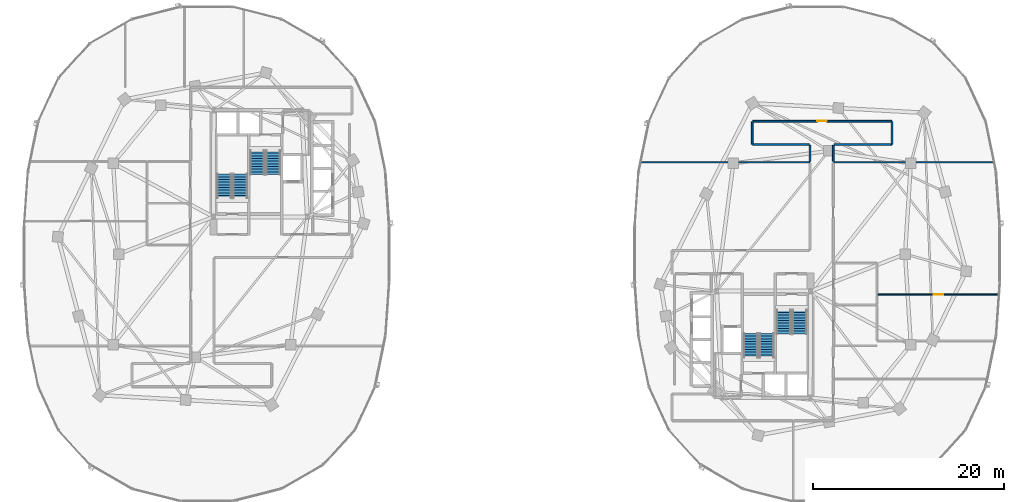
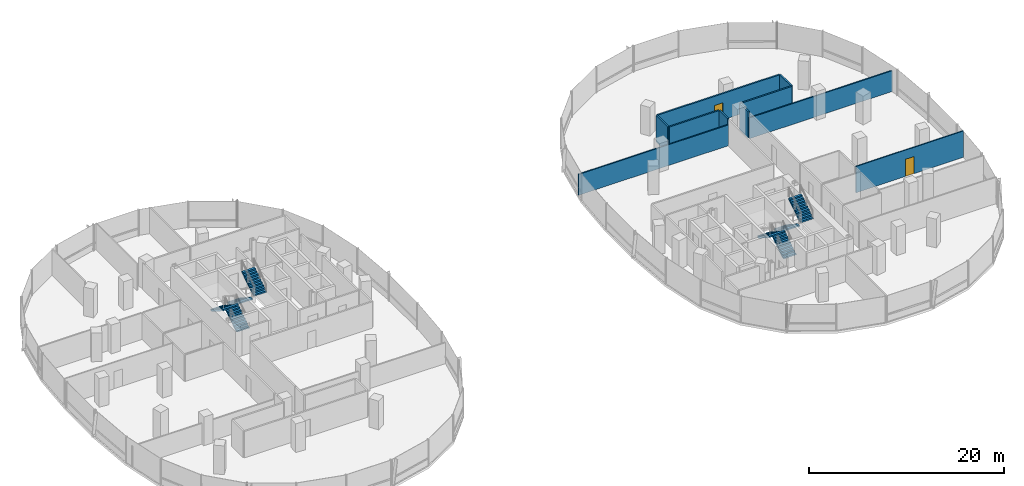
# One storey, part 14 of 21: 10 walls, 8 stair flights, 2 doors, 2 openings, 4 elements without a shape of their own.
"""IFC4 building model written with IfcOpenShell, lengths in metres."""

from ifc_helpers import new_model, si_unit, direction, frame, frame_2d, origin, place, context, subcontext, project, spatial, polyline, rectangle, outline, extrude, material, layer, layer_set, type_object, element, fill, aggregate, save


model = new_model("IFC4")

# Units and contexts
model_context = context("Model", 3, precision=1e-05, world=origin(), true_north=direction((0.0, 1.0)))
body_context = subcontext(model_context, "Body", "Model", "MODEL_VIEW")
ifc_project = project(units=[si_unit("LENGTHUNIT", "METRE"), si_unit("AREAUNIT", "SQUARE_METRE"), si_unit("VOLUMEUNIT", "CUBIC_METRE"), si_unit("PLANEANGLEUNIT", "RADIAN"), si_unit("MASSUNIT", "GRAM", prefix="KILO"), si_unit("THERMODYNAMICTEMPERATUREUNIT", "KELVIN"), si_unit("POWERUNIT", "WATT")], contexts=[model_context])

# Site, building, storey
site_placement = place(None, origin())
site = spatial("IfcSite", under=ifc_project, at=site_placement, CompositionType="ELEMENT")
building_placement = place(site_placement, origin())
building = spatial("IfcBuilding", under=site, at=building_placement, Name="Cundina Bronze Exchange", CompositionType="ELEMENT")
storey_placement = place(building_placement, frame((0.0, 0.0, 99.800048828125)))
storey = spatial("IfcBuildingStorey", under=building, at=storey_placement, Name="L25", CompositionType="ELEMENT", Elevation=99.800048828125)

# Wall, opening, door
ifc_material_1 = material(Name="Gypsum Fireboard Partition EI120")
ifc_layer_1 = layer(ifc_material_1, 0.179931640625, Name="Gypsum Fireboard Partition EI120")
ifc_layer_set_1 = layer_set([ifc_layer_1], Name="Gypsum Fireboard Partition EI120")
wall_type_1 = type_object("IfcWallType", Name="WL-COR-180", PredefinedType="PARTITIONING", material=ifc_layer_set_1)
wall_1_placement = place(storey_placement, frame((39.778564453125, 13.919921875, 0.0), z_axis=(0.0, 0.0, 1.0), x_axis=(-1.0, 0.0, 0.0)))
wall_1 = element("IfcWall", 1, at=wall_1_placement, inside=storey, type_object=wall_type_1, Name="L25 Interior Partition 067", PredefinedType="PARTITIONING", context=body_context, shape_type="SweptSolid", body=[
    extrude(rectangle(XDim=14.55712890625, YDim=0.179931640625, at=frame_2d((7.278564453125, 0.0))), origin(), (0.0, 0.0, 1.0), 3.300048828125),
])
opening_1_placement = place(wall_1_placement, frame((6.778564453125, 0.0, 0.0)))
opening_1 = element("IfcOpeningElement", 2, at=opening_1_placement, cuts=wall_1, Name="Opening DO-01", PredefinedType="OPENING", context=body_context, shape_type="SweptSolid", body=[
    extrude(rectangle(XDim=1.0, YDim=2.14990234375, at=frame_2d((0.5, 1.074951171875))), frame((0.0, 0.099853515625, 0.0), z_axis=(0.0, -1.0, 0.0), x_axis=(1.0, 0.0, 0.0)), (0.0, 0.0, 1.0), 0.199951171875),
])
ifc_material_2 = material(Name="Solid Andean Oak Timber Grade A", Category="wood")
door_type = type_object("IfcDoorType", Name="DR-OFF-1000", OperationType="NOTDEFINED", PredefinedType="DOOR", material=ifc_material_2)
door_1_placement = place(opening_1_placement, origin())
door_1 = element("IfcDoor", 3, at=door_1_placement, inside=storey, type_object=door_type, Name="L25 Interior Door 067", OperationType="SINGLE_SWING_LEFT", OverallHeight=2.14990234375, OverallWidth=1.0, PredefinedType="DOOR", context=body_context, shape_type="SweptSolid", body=[
    extrude(rectangle(XDim=1.0, YDim=2.14990234375, at=frame_2d((0.5, 1.074951171875))), frame((0.0, 0.02490234375, 0.0), z_axis=(0.0, -1.0, 0.0), x_axis=(1.0, 0.0, 0.0)), (0.0, 0.0, 1.0), 0.050048828125),
])
fill(opening_1, door_1)

# Walls
wall_2_placement = place(storey_placement, frame((33.75, 11.47998046875, 0.0), z_axis=(0.0, 0.0, 1.0), x_axis=(1.0, 0.0, 0.0)))
element("IfcWall", 4, at=wall_2_placement, inside=storey, type_object=wall_type_1, Name="L25 Interior Partition 068", PredefinedType="PARTITIONING", context=body_context, shape_type="SweptSolid", body=[
    extrude(rectangle(XDim=6.028564453125, YDim=0.179931640625, at=frame_2d((3.01416015625, 0.0))), origin(), (0.0, 0.0, 1.0), 3.300048828125),
])
wall_3_placement = place(storey_placement, frame((25.221435546875, 11.47998046875, 0.0), z_axis=(0.0, 0.0, 1.0), x_axis=(1.0, 0.0, 0.0)))
element("IfcWall", 5, at=wall_3_placement, inside=storey, type_object=wall_type_1, Name="L25 Interior Partition 069", PredefinedType="PARTITIONING", context=body_context, shape_type="SweptSolid", body=[
    extrude(rectangle(XDim=5.928466796875, YDim=0.179931640625, at=frame_2d((2.96435546875, 0.0))), origin(), (0.0, 0.0, 1.0), 3.300048828125),
])
for number, where, z_axis, x_axis, name in (
    (6, (39.820068359375, 11.521484375, 0.0), (0.0, 0.0, 1.0), (0.0, 1.0, 0.0), "L25 Interior Partition 070"),
    (7, (25.179931640625, 13.87841796875, 0.0), (0.0, 0.0, 1.0), (0.0, -1.0, 0.0), "L25 Interior Partition 071"),
):
    element("IfcWall", number, at=place(storey_placement, frame(where, z_axis=z_axis, x_axis=x_axis)), inside=storey, type_object=wall_type_1, Name=name, PredefinedType="PARTITIONING", context=body_context, shape_type="SweptSolid", body=[
        extrude(rectangle(XDim=2.35693359375, YDim=0.179931640625, at=frame_2d((1.178466796875, 0.0))), origin(), (0.0, 0.0, 1.0), 3.300048828125),
    ])
for number, where, z_axis, x_axis, name in (
    (8, (33.669921875, 9.7099609375, 0.0), (0.0, 0.0, 1.0), (0.0, 1.0, 0.0), "L25 Interior Partition 072"),
    (9, (31.22998046875, 11.39990234375, 0.0), (0.0, 0.0, 1.0), (0.0, -1.0, 0.0), "L25 Interior Partition 073"),
):
    element("IfcWall", number, at=place(storey_placement, frame(where, z_axis=z_axis, x_axis=x_axis)), inside=storey, type_object=wall_type_1, Name=name, PredefinedType="PARTITIONING", context=body_context, shape_type="SweptSolid", body=[
        extrude(rectangle(XDim=1.68994140625, YDim=0.179931640625, at=frame_2d((0.844970703125, 0.0))), origin(), (0.0, 0.0, 1.0), 3.300048828125),
    ])

# Wall, opening, door
ifc_material_3 = material(Name="Gypsum Acoustic Partition EI60")
ifc_layer_2 = layer(ifc_material_3, 0.125, Name="Gypsum Acoustic Partition EI60")
ifc_layer_set_2 = layer_set([ifc_layer_2], Name="Gypsum Acoustic Partition EI60")
wall_type_2 = type_object("IfcWallType", Name="WL-OFF-125", PredefinedType="PARTITIONING", material=ifc_layer_set_2)
wall_4_placement = place(storey_placement, frame((38.320068359375, -4.25, 0.0), z_axis=(0.0, 0.0, 1.0), x_axis=(1.0, 0.0, 0.0)))
wall_4 = element("IfcWall", 10, at=wall_4_placement, inside=storey, type_object=wall_type_2, Name="L25 Interior Partition 074", PredefinedType="PARTITIONING", context=body_context, shape_type="SweptSolid", body=[
    extrude(rectangle(XDim=12.736572265625, YDim=0.125, at=frame_2d((6.3681640625, 0.0))), origin(), (0.0, 0.0, 1.0), 3.300048828125),
])
opening_2_placement = place(wall_4_placement, frame((5.868408203125, 0.0, 0.0)))
opening_2 = element("IfcOpeningElement", 11, at=opening_2_placement, cuts=wall_4, Name="Opening DO-01", PredefinedType="OPENING", context=body_context, shape_type="SweptSolid", body=[
    extrude(rectangle(XDim=1.0, YDim=2.14990234375, at=frame_2d((0.5, 1.074951171875))), frame((0.0, 0.072509765625, 0.0), z_axis=(0.0, -1.0, 0.0), x_axis=(1.0, 0.0, 0.0)), (0.0, 0.0, 1.0), 0.14501953125),
])
door_2_placement = place(opening_2_placement, origin())
door_2 = element("IfcDoor", 12, at=door_2_placement, inside=storey, type_object=door_type, Name="L25 Interior Door 074", OperationType="SINGLE_SWING_LEFT", OverallHeight=2.14990234375, OverallWidth=1.0, PredefinedType="DOOR", context=body_context, shape_type="SweptSolid", body=[
    extrude(rectangle(XDim=1.0, YDim=2.14990234375, at=frame_2d((0.5, 1.074951171875))), frame((0.0, 0.02490234375, 0.0), z_axis=(0.0, -1.0, 0.0), x_axis=(1.0, 0.0, 0.0)), (0.0, 0.0, 1.0), 0.050048828125),
])
fill(opening_2, door_2)

# Walls
ifc_layer_3 = layer(ifc_material_3, 0.14990234375, Name="Gypsum Acoustic Partition EI60")
ifc_layer_set_3 = layer_set([ifc_layer_3], Name="Gypsum Acoustic Partition EI60")
wall_type_3 = type_object("IfcWallType", Name="WL-TEN-150", PredefinedType="PARTITIONING", material=ifc_layer_set_3)
wall_5_placement = place(storey_placement, frame((13.39453125, 9.6201171875, 0.0), z_axis=(0.0, 0.0, 1.0), x_axis=(1.0, 0.0, 0.0)))
element("IfcWall", 13, at=wall_5_placement, inside=storey, type_object=wall_type_3, Name="L25 Interior Partition 052", PredefinedType="PARTITIONING", context=body_context, shape_type="SweptSolid", body=[
    extrude(rectangle(XDim=17.805419921875, YDim=0.14990234375, at=frame_2d((8.90283203125, 0.0))), origin(), (0.0, 0.0, 1.0), 2.60498046875),
])
wall_6_placement = place(storey_placement, frame((33.699951171875, 9.6201171875, 0.0), z_axis=(0.0, 0.0, 1.0), x_axis=(1.0, 0.0, 0.0)))
element("IfcWall", 14, at=wall_6_placement, inside=storey, type_object=wall_type_3, Name="L25 Interior Partition 053", PredefinedType="PARTITIONING", context=body_context, shape_type="SweptSolid", body=[
    extrude(rectangle(XDim=16.905517578125, YDim=0.14990234375, at=frame_2d((8.45263671875, 0.0))), origin(), (0.0, 0.0, 1.0), 2.60498046875),
])

# Stair, stair flights
ifc_material_4 = material(Name="Concrete C40/50", Category="concrete")
stair_type = type_object("IfcStairType", Name="STR-OFF-360", PredefinedType="HALF_TURN_STAIR", material=ifc_material_4)
stair_1_placement = place(storey_placement, origin())
stair_1 = element("IfcStair", 15, at=stair_1_placement, inside=storey, type_object=stair_type, Name="L25 Smokeproof Exit Stair W1", PredefinedType="HALF_TURN_STAIR")
stair_flight_type = type_object("IfcStairFlightType", Name="FLG-OFF-180", PredefinedType="STRAIGHT", material=ifc_material_4)
stair_flight_1_placement = place(storey_placement, frame((-28.489990234375, 5.85009765625, 0.0), z_axis=(0.0, 0.0, 1.0), x_axis=(0.0, 1.0, 0.0)))
stair_flight_1 = element("IfcStairFlight", 16, at=stair_flight_1_placement, type_object=stair_flight_type, Name="ST-W1 flight 1", NumberOfRisers=10, NumberOfTreads=9, PredefinedType="STRAIGHT", RiserHeight=0.18, TreadLength=0.28, context=body_context, shape_type="SweptSolid", body=[
    extrude(outline(polyline([(0.0, 0.0), (0.0, 0.179931640625), (0.280029296875, 0.179931640625), (0.280029296875, 0.360107421875), (0.56005859375, 0.360107421875), (0.56005859375, 0.5400390625), (0.840087890625, 0.5400390625), (0.840087890625, 0.719970703125), (1.1201171875, 0.719970703125), (1.1201171875, 0.89990234375), (1.39990234375, 0.89990234375), (1.39990234375, 1.080078125), (1.679931640625, 1.080078125), (1.679931640625, 1.260009765625), (1.9599609375, 1.260009765625), (1.9599609375, 1.43994140625), (2.239990234375, 1.43994140625), (2.239990234375, 1.6201171875), (2.52001953125, 1.6201171875), (2.52001953125, 1.800048828125), (2.52001953125, 1.44189453125), (0.277099609375, 0.0), (0.0, 0.0)])), frame((0.0, 0.75, 0.0), z_axis=(0.0, -1.0, 0.0), x_axis=(1.0, 0.0, 0.0)), (0.0, 0.0, 1.0), 1.5),
])
stair_flight_2_placement = place(storey_placement, frame((-30.14990234375, 8.3701171875, 1.800048828125), z_axis=(0.0, 0.0, 1.0), x_axis=(0.0, -1.0, 0.0)))
stair_flight_2 = element("IfcStairFlight", 17, at=stair_flight_2_placement, type_object=stair_flight_type, Name="ST-W1 flight 2", NumberOfRisers=10, NumberOfTreads=9, PredefinedType="STRAIGHT", RiserHeight=0.18, TreadLength=0.28, context=body_context, shape_type="SweptSolid", body=[
    extrude(outline(polyline([(0.0, 0.0), (0.0, 0.179931640625), (0.280029296875, 0.179931640625), (0.280029296875, 0.360107421875), (0.56005859375, 0.360107421875), (0.56005859375, 0.5400390625), (0.840087890625, 0.5400390625), (0.840087890625, 0.719970703125), (1.1201171875, 0.719970703125), (1.1201171875, 0.89990234375), (1.39990234375, 0.89990234375), (1.39990234375, 1.080078125), (1.679931640625, 1.080078125), (1.679931640625, 1.260009765625), (1.9599609375, 1.260009765625), (1.9599609375, 1.43994140625), (2.239990234375, 1.43994140625), (2.239990234375, 1.6201171875), (2.52001953125, 1.6201171875), (2.52001953125, 1.800048828125), (2.52001953125, 1.44189453125), (0.277099609375, 0.0), (0.0, 0.0)])), frame((0.0, 0.75, 0.0), z_axis=(0.0, -1.0, 0.0), x_axis=(1.0, 0.0, 0.0)), (0.0, 0.0, 1.0), 1.5),
])
aggregate(stair_1, [stair_flight_1, stair_flight_2])

stair_2_placement = place(storey_placement, origin())
stair_2 = element("IfcStair", 18, at=stair_2_placement, inside=storey, type_object=stair_type, Name="L25 Smokeproof Exit Stair W2", PredefinedType="HALF_TURN_STAIR")
stair_flight_3_placement = place(storey_placement, frame((-26.68994140625, 10.85009765625, 0.0), z_axis=(0.0, 0.0, 1.0), x_axis=(0.0, -1.0, 0.0)))
stair_flight_3 = element("IfcStairFlight", 19, at=stair_flight_3_placement, type_object=stair_flight_type, Name="ST-W2 flight 1", NumberOfRisers=10, NumberOfTreads=9, PredefinedType="STRAIGHT", RiserHeight=0.18, TreadLength=0.28, context=body_context, shape_type="SweptSolid", body=[
    extrude(outline(polyline([(0.0, 0.0), (0.0, 0.179931640625), (0.280029296875, 0.179931640625), (0.280029296875, 0.360107421875), (0.56005859375, 0.360107421875), (0.56005859375, 0.5400390625), (0.840087890625, 0.5400390625), (0.840087890625, 0.719970703125), (1.1201171875, 0.719970703125), (1.1201171875, 0.89990234375), (1.39990234375, 0.89990234375), (1.39990234375, 1.080078125), (1.679931640625, 1.080078125), (1.679931640625, 1.260009765625), (1.9599609375, 1.260009765625), (1.9599609375, 1.43994140625), (2.239990234375, 1.43994140625), (2.239990234375, 1.6201171875), (2.52001953125, 1.6201171875), (2.52001953125, 1.800048828125), (2.52001953125, 1.44189453125), (0.277099609375, 0.0), (0.0, 0.0)])), frame((0.0, 0.75, 0.0), z_axis=(0.0, -1.0, 0.0), x_axis=(1.0, 0.0, 0.0)), (0.0, 0.0, 1.0), 1.5),
])
stair_flight_4_placement = place(storey_placement, frame((-25.030029296875, 8.330078125, 1.800048828125), z_axis=(0.0, 0.0, 1.0), x_axis=(0.0, 1.0, 0.0)))
stair_flight_4 = element("IfcStairFlight", 20, at=stair_flight_4_placement, type_object=stair_flight_type, Name="ST-W2 flight 2", NumberOfRisers=10, NumberOfTreads=9, PredefinedType="STRAIGHT", RiserHeight=0.18, TreadLength=0.28, context=body_context, shape_type="SweptSolid", body=[
    extrude(outline(polyline([(0.0, 0.0), (0.0, 0.179931640625), (0.280029296875, 0.179931640625), (0.280029296875, 0.360107421875), (0.56005859375, 0.360107421875), (0.56005859375, 0.5400390625), (0.840087890625, 0.5400390625), (0.840087890625, 0.719970703125), (1.1201171875, 0.719970703125), (1.1201171875, 0.89990234375), (1.39990234375, 0.89990234375), (1.39990234375, 1.080078125), (1.679931640625, 1.080078125), (1.679931640625, 1.260009765625), (1.9599609375, 1.260009765625), (1.9599609375, 1.43994140625), (2.239990234375, 1.43994140625), (2.239990234375, 1.6201171875), (2.52001953125, 1.6201171875), (2.52001953125, 1.800048828125), (2.52001953125, 1.44189453125), (0.277099609375, 0.0), (0.0, 0.0)])), frame((0.0, 0.75, 0.0), z_axis=(0.0, -1.0, 0.0), x_axis=(1.0, 0.0, 0.0)), (0.0, 0.0, 1.0), 1.5),
])
aggregate(stair_2, [stair_flight_3, stair_flight_4])

stair_3_placement = place(storey_placement, origin())
stair_3 = element("IfcStair", 21, at=stair_3_placement, inside=storey, type_object=stair_type, Name="L25 Smokeproof Exit Stair E1", PredefinedType="HALF_TURN_STAIR")
stair_flight_5_placement = place(storey_placement, frame((28.489990234375, -5.85009765625, 0.0), z_axis=(0.0, 0.0, 1.0), x_axis=(0.0, -1.0, 0.0)))
stair_flight_5 = element("IfcStairFlight", 22, at=stair_flight_5_placement, type_object=stair_flight_type, Name="ST-E1 flight 1", NumberOfRisers=10, NumberOfTreads=9, PredefinedType="STRAIGHT", RiserHeight=0.18, TreadLength=0.28, context=body_context, shape_type="SweptSolid", body=[
    extrude(outline(polyline([(0.0, 0.0), (0.0, 0.179931640625), (0.280029296875, 0.179931640625), (0.280029296875, 0.360107421875), (0.56005859375, 0.360107421875), (0.56005859375, 0.5400390625), (0.840087890625, 0.5400390625), (0.840087890625, 0.719970703125), (1.1201171875, 0.719970703125), (1.1201171875, 0.89990234375), (1.39990234375, 0.89990234375), (1.39990234375, 1.080078125), (1.679931640625, 1.080078125), (1.679931640625, 1.260009765625), (1.9599609375, 1.260009765625), (1.9599609375, 1.43994140625), (2.239990234375, 1.43994140625), (2.239990234375, 1.6201171875), (2.52001953125, 1.6201171875), (2.52001953125, 1.800048828125), (2.52001953125, 1.44189453125), (0.277099609375, 0.0), (0.0, 0.0)])), frame((0.0, 0.75, 0.0), z_axis=(0.0, -1.0, 0.0), x_axis=(1.0, 0.0, 0.0)), (0.0, 0.0, 1.0), 1.5),
])
stair_flight_6_placement = place(storey_placement, frame((30.14990234375, -8.3701171875, 1.800048828125), z_axis=(0.0, 0.0, 1.0), x_axis=(0.0, 1.0, 0.0)))
stair_flight_6 = element("IfcStairFlight", 23, at=stair_flight_6_placement, type_object=stair_flight_type, Name="ST-E1 flight 2", NumberOfRisers=10, NumberOfTreads=9, PredefinedType="STRAIGHT", RiserHeight=0.18, TreadLength=0.28, context=body_context, shape_type="SweptSolid", body=[
    extrude(outline(polyline([(0.0, 0.0), (0.0, 0.179931640625), (0.280029296875, 0.179931640625), (0.280029296875, 0.360107421875), (0.56005859375, 0.360107421875), (0.56005859375, 0.5400390625), (0.840087890625, 0.5400390625), (0.840087890625, 0.719970703125), (1.1201171875, 0.719970703125), (1.1201171875, 0.89990234375), (1.39990234375, 0.89990234375), (1.39990234375, 1.080078125), (1.679931640625, 1.080078125), (1.679931640625, 1.260009765625), (1.9599609375, 1.260009765625), (1.9599609375, 1.43994140625), (2.239990234375, 1.43994140625), (2.239990234375, 1.6201171875), (2.52001953125, 1.6201171875), (2.52001953125, 1.800048828125), (2.52001953125, 1.44189453125), (0.277099609375, 0.0), (0.0, 0.0)])), frame((0.0, 0.75, 0.0), z_axis=(0.0, -1.0, 0.0), x_axis=(1.0, 0.0, 0.0)), (0.0, 0.0, 1.0), 1.5),
])
aggregate(stair_3, [stair_flight_5, stair_flight_6])

stair_4_placement = place(storey_placement, origin())
stair_4 = element("IfcStair", 24, at=stair_4_placement, inside=storey, type_object=stair_type, Name="L25 Smokeproof Exit Stair E2", PredefinedType="HALF_TURN_STAIR")
stair_flight_7_placement = place(storey_placement, frame((26.68994140625, -10.85009765625, 0.0), z_axis=(0.0, 0.0, 1.0), x_axis=(0.0, 1.0, 0.0)))
stair_flight_7 = element("IfcStairFlight", 25, at=stair_flight_7_placement, type_object=stair_flight_type, Name="ST-E2 flight 1", NumberOfRisers=10, NumberOfTreads=9, PredefinedType="STRAIGHT", RiserHeight=0.18, TreadLength=0.28, context=body_context, shape_type="SweptSolid", body=[
    extrude(outline(polyline([(0.0, 0.0), (0.0, 0.179931640625), (0.280029296875, 0.179931640625), (0.280029296875, 0.360107421875), (0.56005859375, 0.360107421875), (0.56005859375, 0.5400390625), (0.840087890625, 0.5400390625), (0.840087890625, 0.719970703125), (1.1201171875, 0.719970703125), (1.1201171875, 0.89990234375), (1.39990234375, 0.89990234375), (1.39990234375, 1.080078125), (1.679931640625, 1.080078125), (1.679931640625, 1.260009765625), (1.9599609375, 1.260009765625), (1.9599609375, 1.43994140625), (2.239990234375, 1.43994140625), (2.239990234375, 1.6201171875), (2.52001953125, 1.6201171875), (2.52001953125, 1.800048828125), (2.52001953125, 1.44189453125), (0.277099609375, 0.0), (0.0, 0.0)])), frame((0.0, 0.75, 0.0), z_axis=(0.0, -1.0, 0.0), x_axis=(1.0, 0.0, 0.0)), (0.0, 0.0, 1.0), 1.5),
])
stair_flight_8_placement = place(storey_placement, frame((25.030029296875, -8.330078125, 1.800048828125), z_axis=(0.0, 0.0, 1.0), x_axis=(0.0, -1.0, 0.0)))
stair_flight_8 = element("IfcStairFlight", 26, at=stair_flight_8_placement, type_object=stair_flight_type, Name="ST-E2 flight 2", NumberOfRisers=10, NumberOfTreads=9, PredefinedType="STRAIGHT", RiserHeight=0.18, TreadLength=0.28, context=body_context, shape_type="SweptSolid", body=[
    extrude(outline(polyline([(0.0, 0.0), (0.0, 0.179931640625), (0.280029296875, 0.179931640625), (0.280029296875, 0.360107421875), (0.56005859375, 0.360107421875), (0.56005859375, 0.5400390625), (0.840087890625, 0.5400390625), (0.840087890625, 0.719970703125), (1.1201171875, 0.719970703125), (1.1201171875, 0.89990234375), (1.39990234375, 0.89990234375), (1.39990234375, 1.080078125), (1.679931640625, 1.080078125), (1.679931640625, 1.260009765625), (1.9599609375, 1.260009765625), (1.9599609375, 1.43994140625), (2.239990234375, 1.43994140625), (2.239990234375, 1.6201171875), (2.52001953125, 1.6201171875), (2.52001953125, 1.800048828125), (2.52001953125, 1.44189453125), (0.277099609375, 0.0), (0.0, 0.0)])), frame((0.0, 0.75, 0.0), z_axis=(0.0, -1.0, 0.0), x_axis=(1.0, 0.0, 0.0)), (0.0, 0.0, 1.0), 1.5),
])
aggregate(stair_4, [stair_flight_7, stair_flight_8])

save(model, "model.ifc")
